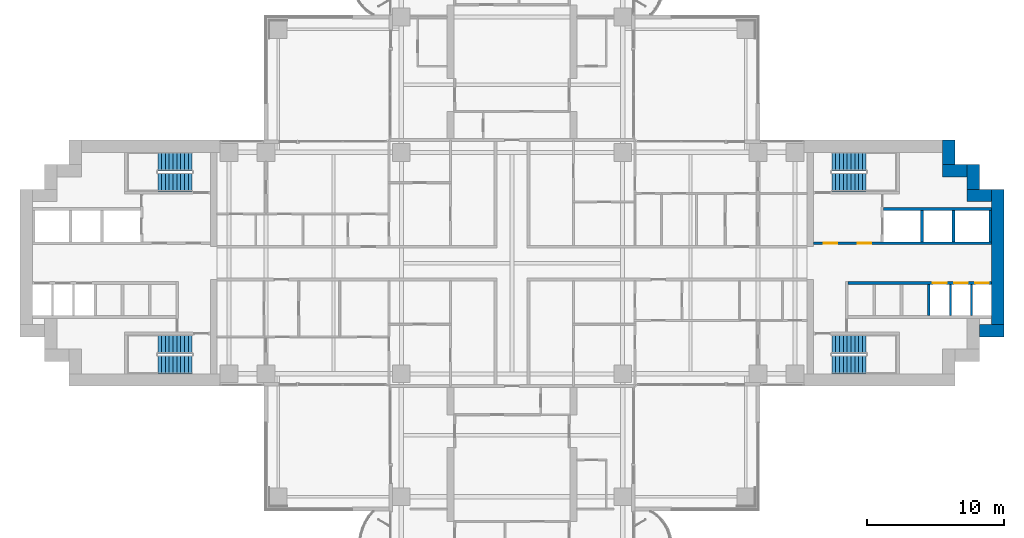
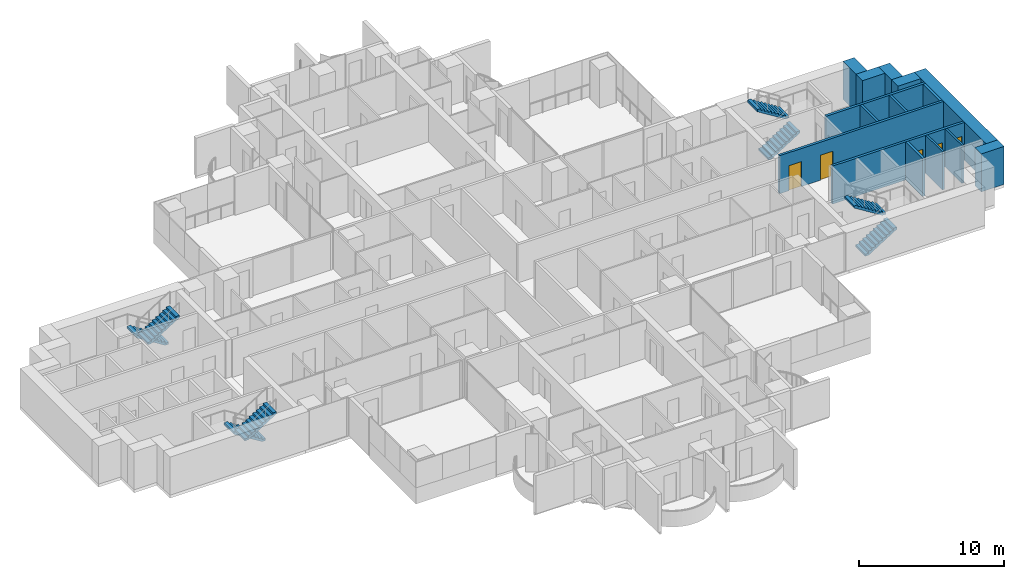
# One storey, part 16 of 21: 15 walls, 8 stair flights, 5 doors, 5 openings, 4 elements without a shape of their own.
"""IFC4 building model written with IfcOpenShell, lengths in metres."""

from ifc_helpers import new_model, si_unit, direction, frame, frame_2d, origin, place, context, subcontext, project, spatial, polyline, rectangle, outline, extrude, material, layer, layer_set, type_object, element, fill, aggregate, save


model = new_model("IFC4")

# Units and contexts
model_context = context("Model", 3, precision=1e-05, world=origin(), true_north=direction((0.0, 1.0)))
body_context = subcontext(model_context, "Body", "Model", "MODEL_VIEW")
ifc_project = project(units=[si_unit("LENGTHUNIT", "METRE"), si_unit("AREAUNIT", "SQUARE_METRE"), si_unit("VOLUMEUNIT", "CUBIC_METRE"), si_unit("PLANEANGLEUNIT", "RADIAN"), si_unit("MASSUNIT", "GRAM", prefix="KILO")], contexts=[model_context])

# Site, building, storey
site_placement = place(None, origin())
site = spatial("IfcSite", under=ifc_project, at=site_placement, CompositionType="ELEMENT")
building_placement = place(site_placement, origin())
building = spatial("IfcBuilding", under=site, at=building_placement, Name="Perihelion Cross Residences", CompositionType="ELEMENT")
storey_placement = place(building_placement, frame((0.0, 0.0, 89.0)))
storey = spatial("IfcBuildingStorey", under=building, at=storey_placement, Name="L20", CompositionType="ELEMENT", Elevation=89.0)

# Walls
ifc_material_1 = material(Name="Concrete C60/75", Category="concrete")
ifc_layer_1 = layer(ifc_material_1, 0.89990234375)
ifc_layer_set_1 = layer_set([ifc_layer_1], Name="Core wall, outer 900")
wall_type_1 = type_object("IfcWallType", Name="Core wall, outer 900", PredefinedType="SHEAR", material=ifc_layer_set_1)
wall_1_placement = place(storey_placement, frame((34.199951171875, -4.949951171875, 0.0), z_axis=(0.0, 0.0, 1.0), x_axis=(1.0, 0.0, 0.0)))
element("IfcWall", 1, at=wall_1_placement, inside=storey, type_object=wall_type_1, Name="East core core wall, outer", PredefinedType="SHEAR", context=body_context, shape_type="SweptSolid", body=[
    extrude(rectangle(XDim=1.800048828125, YDim=0.89990234375, at=frame_2d((0.89990234375, 0.0))), origin(), (0.0, 0.0, 1.0), 3.199951171875),
])
wall_2_placement = place(storey_placement, frame((35.550048828125, -4.5, 0.0), z_axis=(0.0, 0.0, 1.0), x_axis=(0.0, 1.0, 0.0)))
element("IfcWall", 2, at=wall_2_placement, inside=storey, type_object=wall_type_1, Name="East core core wall, outer", PredefinedType="SHEAR", context=body_context, shape_type="SweptSolid", body=[
    extrude(rectangle(XDim=9.89990234375, YDim=0.89990234375, at=frame_2d((4.949951171875, 0.0))), origin(), (0.0, 0.0, 1.0), 3.199951171875),
])
for number, where, z_axis, x_axis, name in (
    (3, (33.300048828125, 4.949951171875, 0.0), (0.0, 0.0, 1.0), (1.0, 0.0, 0.0), "East core core wall, outer"),
    (4, (33.75, 5.39990234375, 0.0), (0.0, 0.0, 1.0), (0.0, 1.0, 0.0), "East core core wall, outer"),
    (5, (31.5, 6.75, 0.0), (0.0, 0.0, 1.0), (1.0, 0.0, 0.0), "East core core wall, outer"),
    (6, (31.949951171875, 7.199951171875, 0.0), (0.0, 0.0, 1.0), (0.0, 1.0, 0.0), "East core core wall, outer"),
):
    element("IfcWall", number, at=place(storey_placement, frame(where, z_axis=z_axis, x_axis=x_axis)), inside=storey, type_object=wall_type_1, Name=name, PredefinedType="SHEAR", context=body_context, shape_type="SweptSolid", body=[
        extrude(rectangle(XDim=1.800048828125, YDim=0.89990234375, at=frame_2d((0.89990234375, 0.0))), origin(), (0.0, 0.0, 1.0), 3.199951171875),
    ])
ifc_material_2 = material(Name="Concrete C50/60", Category="concrete")
ifc_layer_2 = layer(ifc_material_2, 0.14990234375)
ifc_layer_set_2 = layer_set([ifc_layer_2], Name="Shaft wall 150")
wall_type_2 = type_object("IfcWallType", Name="Shaft wall 150", PredefinedType="SOLIDWALL", material=ifc_layer_set_2)
for number, where, z_axis, x_axis, name in (
    (7, (32.074951171875, -3.85009765625, 0.0), (0.0, 0.0, 1.0), (0.0, 1.0, 0.0), "East core shaft wall"),
    (8, (33.625, -3.85009765625, 0.0), (0.0, 0.0, 1.0), (0.0, 1.0, 0.0), "East core shaft wall"),
):
    element("IfcWall", number, at=place(storey_placement, frame(where, z_axis=z_axis, x_axis=x_axis)), inside=storey, type_object=wall_type_2, Name=name, PredefinedType="SOLIDWALL", context=body_context, shape_type="SweptSolid", body=[
        extrude(rectangle(XDim=2.300048828125, YDim=0.14990234375, at=frame_2d((1.14990234375, 0.0))), origin(), (0.0, 0.0, 1.0), 3.199951171875),
    ])

# Wall, openings, doors
ifc_material_3 = material(Name="Concrete C50/60", Category="concrete")
ifc_layer_3 = layer(ifc_material_3, 0.199951171875)
ifc_layer_set_3 = layer_set([ifc_layer_3], Name="Shaft wall 200")
wall_type_3 = type_object("IfcWallType", Name="Shaft wall 200", PredefinedType="SOLIDWALL", material=ifc_layer_set_3)
wall_3_placement = place(storey_placement, frame((22.050048828125, 1.449951171875, 0.0), z_axis=(0.0, 0.0, 1.0), x_axis=(1.0, 0.0, 0.0)))
wall_3 = element("IfcWall", 9, at=wall_3_placement, inside=storey, type_object=wall_type_3, Name="East core shaft wall", PredefinedType="SOLIDWALL", context=body_context, shape_type="SweptSolid", body=[
    extrude(rectangle(XDim=13.050048828125, YDim=0.199951171875, at=frame_2d((6.52490234375, 0.0))), origin(), (0.0, 0.0, 1.0), 3.199951171875),
])
opening_1_placement = place(wall_3_placement, frame((0.75, 0.0, 0.0)))
opening_1 = element("IfcOpeningElement", 10, at=opening_1_placement, cuts=wall_3, Name="Opening L20.C07", PredefinedType="OPENING", context=body_context, shape_type="SweptSolid", body=[
    extrude(rectangle(XDim=1.0, YDim=2.10009765625, at=frame_2d((0.5, 1.050048828125))), frame((0.0, 0.10986328125, 0.0), z_axis=(0.0, -1.0, 0.0), x_axis=(1.0, 0.0, 0.0)), (0.0, 0.0, 1.0), 0.219970703125),
])
opening_2_placement = place(wall_3_placement, frame((3.25, 0.0, 0.0)))
opening_2 = element("IfcOpeningElement", 11, at=opening_2_placement, cuts=wall_3, Name="Opening L20.C09", PredefinedType="OPENING", context=body_context, shape_type="SweptSolid", body=[
    extrude(rectangle(XDim=1.0, YDim=2.10009765625, at=frame_2d((0.5, 1.050048828125))), frame((0.0, 0.10986328125, 0.0), z_axis=(0.0, -1.0, 0.0), x_axis=(1.0, 0.0, 0.0)), (0.0, 0.0, 1.0), 0.219970703125),
])
ifc_material_4 = material(Name="Steel, powder coated", Category="steel")
door_type_1 = type_object("IfcDoorType", Name="Lobby door 1000", OperationType="SINGLE_SWING_LEFT", PredefinedType="DOOR", material=ifc_material_4)
door_1_placement = place(opening_1_placement, origin())
door_1 = element("IfcDoor", 12, at=door_1_placement, inside=storey, type_object=door_type_1, Name="East core firefighting lobby door", OperationType="SINGLE_SWING_LEFT", OverallHeight=2.10009765625, OverallWidth=1.0, PredefinedType="DOOR", context=body_context, shape_type="SweptSolid", body=[
    extrude(rectangle(XDim=1.0, YDim=2.10009765625, at=frame_2d((0.5, 1.050048828125))), frame((0.0, 0.02490234375, 0.0), z_axis=(0.0, -1.0, 0.0), x_axis=(1.0, 0.0, 0.0)), (0.0, 0.0, 1.0), 0.050048828125),
])
fill(opening_1, door_1)
door_2_placement = place(opening_2_placement, origin())
door_2 = element("IfcDoor", 13, at=door_2_placement, inside=storey, type_object=door_type_1, Name="East core firefighting lobby door", OperationType="SINGLE_SWING_LEFT", OverallHeight=2.10009765625, OverallWidth=1.0, PredefinedType="DOOR", context=body_context, shape_type="SweptSolid", body=[
    extrude(rectangle(XDim=1.0, YDim=2.10009765625, at=frame_2d((0.5, 1.050048828125))), frame((0.0, 0.02490234375, 0.0), z_axis=(0.0, -1.0, 0.0), x_axis=(1.0, 0.0, 0.0)), (0.0, 0.0, 1.0), 0.050048828125),
])
fill(opening_2, door_2)

wall_4_placement = place(storey_placement, frame((24.60009765625, -1.449951171875, 0.0), z_axis=(0.0, 0.0, 1.0), x_axis=(1.0, 0.0, 0.0)))
wall_4 = element("IfcWall", 14, at=wall_4_placement, inside=storey, type_object=wall_type_3, Name="East core shaft wall", PredefinedType="SOLIDWALL", context=body_context, shape_type="SweptSolid", body=[
    extrude(rectangle(XDim=10.5, YDim=0.199951171875, at=frame_2d((5.25, 0.0))), origin(), (0.0, 0.0, 1.0), 3.199951171875),
])
opening_3_placement = place(wall_4_placement, frame((6.199951171875, 0.0, 0.0)))
opening_3 = element("IfcOpeningElement", 15, at=opening_3_placement, cuts=wall_4, Name="Opening L20.C02", PredefinedType="OPENING", context=body_context, shape_type="SweptSolid", body=[
    extrude(rectangle(XDim=1.0, YDim=2.10009765625, at=frame_2d((0.5, 1.050048828125))), frame((0.0, 0.10986328125, 0.0), z_axis=(0.0, -1.0, 0.0), x_axis=(1.0, 0.0, 0.0)), (0.0, 0.0, 1.0), 0.219970703125),
])
opening_4_placement = place(wall_4_placement, frame((7.75, 0.0, 0.0)))
opening_4 = element("IfcOpeningElement", 16, at=opening_4_placement, cuts=wall_4, Name="Opening L20.C03", PredefinedType="OPENING", context=body_context, shape_type="SweptSolid", body=[
    extrude(rectangle(XDim=1.0, YDim=2.10009765625, at=frame_2d((0.5, 1.050048828125))), frame((0.0, 0.10986328125, 0.0), z_axis=(0.0, -1.0, 0.0), x_axis=(1.0, 0.0, 0.0)), (0.0, 0.0, 1.0), 0.219970703125),
])
opening_5_placement = place(wall_4_placement, frame((9.300048828125, 0.0, 0.0)))
opening_5 = element("IfcOpeningElement", 17, at=opening_5_placement, cuts=wall_4, Name="Opening L20.C04", PredefinedType="OPENING", context=body_context, shape_type="SweptSolid", body=[
    extrude(rectangle(XDim=1.0, YDim=2.10009765625, at=frame_2d((0.5, 1.050048828125))), frame((0.0, 0.10986328125, 0.0), z_axis=(0.0, -1.0, 0.0), x_axis=(1.0, 0.0, 0.0)), (0.0, 0.0, 1.0), 0.219970703125),
])
ifc_material_5 = material(Name="Stainless steel", Category="steel")
door_type_2 = type_object("IfcDoorType", Name="Landing door 1000", OperationType="DOUBLE_DOOR_SLIDING", PredefinedType="DOOR", material=ifc_material_5)
door_3_placement = place(opening_3_placement, origin())
door_3 = element("IfcDoor", 18, at=door_3_placement, inside=storey, type_object=door_type_2, Name="Landing door, East core low-rise lift 1", OperationType="DOUBLE_DOOR_SLIDING", OverallHeight=2.10009765625, OverallWidth=1.0, PredefinedType="DOOR", context=body_context, shape_type="SweptSolid", body=[
    extrude(rectangle(XDim=1.0, YDim=2.10009765625, at=frame_2d((0.5, 1.050048828125))), frame((0.0, 0.02490234375, 0.0), z_axis=(0.0, -1.0, 0.0), x_axis=(1.0, 0.0, 0.0)), (0.0, 0.0, 1.0), 0.050048828125),
])
fill(opening_3, door_3)
door_4_placement = place(opening_4_placement, origin())
door_4 = element("IfcDoor", 19, at=door_4_placement, inside=storey, type_object=door_type_2, Name="Landing door, East core low-rise lift 2", OperationType="DOUBLE_DOOR_SLIDING", OverallHeight=2.10009765625, OverallWidth=1.0, PredefinedType="DOOR", context=body_context, shape_type="SweptSolid", body=[
    extrude(rectangle(XDim=1.0, YDim=2.10009765625, at=frame_2d((0.5, 1.050048828125))), frame((0.0, 0.02490234375, 0.0), z_axis=(0.0, -1.0, 0.0), x_axis=(1.0, 0.0, 0.0)), (0.0, 0.0, 1.0), 0.050048828125),
])
fill(opening_4, door_4)
door_5_placement = place(opening_5_placement, origin())
door_5 = element("IfcDoor", 20, at=door_5_placement, inside=storey, type_object=door_type_2, Name="Landing door, East core low-rise lift 3", OperationType="DOUBLE_DOOR_SLIDING", OverallHeight=2.10009765625, OverallWidth=1.0, PredefinedType="DOOR", context=body_context, shape_type="SweptSolid", body=[
    extrude(rectangle(XDim=1.0, YDim=2.10009765625, at=frame_2d((0.5, 1.050048828125))), frame((0.0, 0.02490234375, 0.0), z_axis=(0.0, -1.0, 0.0), x_axis=(1.0, 0.0, 0.0)), (0.0, 0.0, 1.0), 0.050048828125),
])
fill(opening_5, door_5)

# Walls
wall_5_placement = place(storey_placement, frame((27.199951171875, 3.949951171875, 0.0), z_axis=(0.0, 0.0, 1.0), x_axis=(1.0, 0.0, 0.0)))
element("IfcWall", 21, at=wall_5_placement, inside=storey, type_object=wall_type_3, Name="East core shaft wall", PredefinedType="SOLIDWALL", context=body_context, shape_type="SweptSolid", body=[
    extrude(rectangle(XDim=7.900146484375, YDim=0.199951171875, at=frame_2d((3.9501953125, 0.0))), origin(), (0.0, 0.0, 1.0), 3.199951171875),
])
for number, where, z_axis, x_axis, name in (
    (22, (30.0, 1.550048828125, 0.0), (0.0, 0.0, 1.0), (0.0, 1.0, 0.0), "East core shaft wall"),
    (23, (32.300048828125, 1.550048828125, 0.0), (0.0, 0.0, 1.0), (0.0, 1.0, 0.0), "East core shaft wall"),
    (24, (35.0, 1.550048828125, 0.0), (0.0, 0.0, 1.0), (0.0, 1.0, 0.0), "East core shaft wall"),
    (25, (30.5, -3.85009765625, 0.0), (0.0, 0.0, 1.0), (0.0, 1.0, 0.0), "East core shaft wall"),
):
    element("IfcWall", number, at=place(storey_placement, frame(where, z_axis=z_axis, x_axis=x_axis)), inside=storey, type_object=wall_type_3, Name=name, PredefinedType="SOLIDWALL", context=body_context, shape_type="SweptSolid", body=[
        extrude(rectangle(XDim=2.300048828125, YDim=0.199951171875, at=frame_2d((1.14990234375, 0.0))), origin(), (0.0, 0.0, 1.0), 3.199951171875),
    ])

# Stair, stair flights
ifc_material_6 = material(Name="Concrete C40/50", Category="concrete")
stair_type = type_object("IfcStairType", Name="Exit stair, half-turn", PredefinedType="HALF_TURN_STAIR", material=ifc_material_6)
stair_1_placement = place(storey_placement, origin())
stair_1 = element("IfcStair", 26, at=stair_1_placement, inside=storey, type_object=stair_type, Name="L20 East core exit stair 1", PredefinedType="HALF_TURN_STAIR")
ifc_material_7 = material(Name="Concrete C40/50", Category="concrete")
stair_flight_type = type_object("IfcStairFlightType", Name="Exit stair flight", PredefinedType="STRAIGHT", material=ifc_material_7)
stair_flight_1_placement = place(storey_placement, frame((23.39990234375, 5.925048828125, 0.0), z_axis=(0.0, 0.0, 1.0), x_axis=(1.0, 0.0, 0.0)))
stair_flight_1 = element("IfcStairFlight", 27, at=stair_flight_1_placement, type_object=stair_flight_type, Name="ST-E1 flight 1", NumberOfRisers=10, NumberOfTreads=9, PredefinedType="STRAIGHT", RiserHeight=0.175, TreadLength=0.28, context=body_context, shape_type="SweptSolid", body=[
    extrude(outline(polyline([(0.0, 0.0), (0.0, 0.175048828125), (0.280029296875, 0.175048828125), (0.280029296875, 0.35009765625), (0.56005859375, 0.35009765625), (0.56005859375, 0.52490234375), (0.840087890625, 0.52490234375), (0.840087890625, 0.699951171875), (1.1201171875, 0.699951171875), (1.1201171875, 0.875), (1.39990234375, 0.875), (1.39990234375, 1.050048828125), (1.679931640625, 1.050048828125), (1.679931640625, 1.22509765625), (1.9599609375, 1.22509765625), (1.9599609375, 1.39990234375), (2.239990234375, 1.39990234375), (2.239990234375, 1.574951171875), (2.52001953125, 1.574951171875), (2.52001953125, 1.75), (2.52001953125, 1.398193359375), (0.28271484375, 0.0), (0.0, 0.0)])), frame((0.0, 0.675048828125, 0.0), z_axis=(0.0, -1.0, 0.0), x_axis=(1.0, 0.0, 0.0)), (0.0, 0.0, 1.0), 1.35009765625),
])
stair_flight_2_placement = place(storey_placement, frame((25.919921875, 7.425048828125, 1.75), z_axis=(0.0, 0.0, 1.0), x_axis=(-1.0, 0.0, 0.0)))
stair_flight_2 = element("IfcStairFlight", 28, at=stair_flight_2_placement, type_object=stair_flight_type, Name="ST-E1 flight 2", NumberOfRisers=10, NumberOfTreads=9, PredefinedType="STRAIGHT", RiserHeight=0.175, TreadLength=0.28, context=body_context, shape_type="SweptSolid", body=[
    extrude(outline(polyline([(0.0, 0.0), (0.0, 0.175048828125), (0.280029296875, 0.175048828125), (0.280029296875, 0.35009765625), (0.56005859375, 0.35009765625), (0.56005859375, 0.52490234375), (0.840087890625, 0.52490234375), (0.840087890625, 0.699951171875), (1.1201171875, 0.699951171875), (1.1201171875, 0.875), (1.39990234375, 0.875), (1.39990234375, 1.050048828125), (1.679931640625, 1.050048828125), (1.679931640625, 1.22509765625), (1.9599609375, 1.22509765625), (1.9599609375, 1.39990234375), (2.239990234375, 1.39990234375), (2.239990234375, 1.574951171875), (2.52001953125, 1.574951171875), (2.52001953125, 1.75), (2.52001953125, 1.398193359375), (0.28271484375, 0.0), (0.0, 0.0)])), frame((0.0, 0.675048828125, 0.0), z_axis=(0.0, -1.0, 0.0), x_axis=(1.0, 0.0, 0.0)), (0.0, 0.0, 1.0), 1.35009765625),
])
aggregate(stair_1, [stair_flight_1, stair_flight_2])

stair_2_placement = place(storey_placement, origin())
stair_2 = element("IfcStair", 29, at=stair_2_placement, inside=storey, type_object=stair_type, Name="L20 East core exit stair 2", PredefinedType="HALF_TURN_STAIR")
stair_flight_3_placement = place(storey_placement, frame((23.39990234375, -7.425048828125, 0.0), z_axis=(0.0, 0.0, 1.0), x_axis=(1.0, 0.0, 0.0)))
stair_flight_3 = element("IfcStairFlight", 30, at=stair_flight_3_placement, type_object=stair_flight_type, Name="ST-E2 flight 1", NumberOfRisers=10, NumberOfTreads=9, PredefinedType="STRAIGHT", RiserHeight=0.175, TreadLength=0.28, context=body_context, shape_type="SweptSolid", body=[
    extrude(outline(polyline([(0.0, 0.0), (0.0, 0.175048828125), (0.280029296875, 0.175048828125), (0.280029296875, 0.35009765625), (0.56005859375, 0.35009765625), (0.56005859375, 0.52490234375), (0.840087890625, 0.52490234375), (0.840087890625, 0.699951171875), (1.1201171875, 0.699951171875), (1.1201171875, 0.875), (1.39990234375, 0.875), (1.39990234375, 1.050048828125), (1.679931640625, 1.050048828125), (1.679931640625, 1.22509765625), (1.9599609375, 1.22509765625), (1.9599609375, 1.39990234375), (2.239990234375, 1.39990234375), (2.239990234375, 1.574951171875), (2.52001953125, 1.574951171875), (2.52001953125, 1.75), (2.52001953125, 1.398193359375), (0.28271484375, 0.0), (0.0, 0.0)])), frame((0.0, 0.675048828125, 0.0), z_axis=(0.0, -1.0, 0.0), x_axis=(1.0, 0.0, 0.0)), (0.0, 0.0, 1.0), 1.35009765625),
])
stair_flight_4_placement = place(storey_placement, frame((25.919921875, -5.925048828125, 1.75), z_axis=(0.0, 0.0, 1.0), x_axis=(-1.0, 0.0, 0.0)))
stair_flight_4 = element("IfcStairFlight", 31, at=stair_flight_4_placement, type_object=stair_flight_type, Name="ST-E2 flight 2", NumberOfRisers=10, NumberOfTreads=9, PredefinedType="STRAIGHT", RiserHeight=0.175, TreadLength=0.28, context=body_context, shape_type="SweptSolid", body=[
    extrude(outline(polyline([(0.0, 0.0), (0.0, 0.175048828125), (0.280029296875, 0.175048828125), (0.280029296875, 0.35009765625), (0.56005859375, 0.35009765625), (0.56005859375, 0.52490234375), (0.840087890625, 0.52490234375), (0.840087890625, 0.699951171875), (1.1201171875, 0.699951171875), (1.1201171875, 0.875), (1.39990234375, 0.875), (1.39990234375, 1.050048828125), (1.679931640625, 1.050048828125), (1.679931640625, 1.22509765625), (1.9599609375, 1.22509765625), (1.9599609375, 1.39990234375), (2.239990234375, 1.39990234375), (2.239990234375, 1.574951171875), (2.52001953125, 1.574951171875), (2.52001953125, 1.75), (2.52001953125, 1.398193359375), (0.28271484375, 0.0), (0.0, 0.0)])), frame((0.0, 0.675048828125, 0.0), z_axis=(0.0, -1.0, 0.0), x_axis=(1.0, 0.0, 0.0)), (0.0, 0.0, 1.0), 1.35009765625),
])
aggregate(stair_2, [stair_flight_3, stair_flight_4])

stair_3_placement = place(storey_placement, origin())
stair_3 = element("IfcStair", 32, at=stair_3_placement, inside=storey, type_object=stair_type, Name="L20 West core exit stair 1", PredefinedType="HALF_TURN_STAIR")
stair_flight_5_placement = place(storey_placement, frame((-23.39990234375, 7.425048828125, 0.0), z_axis=(0.0, 0.0, 1.0), x_axis=(-1.0, 0.0, 0.0)))
stair_flight_5 = element("IfcStairFlight", 33, at=stair_flight_5_placement, type_object=stair_flight_type, Name="ST-W1 flight 1", NumberOfRisers=10, NumberOfTreads=9, PredefinedType="STRAIGHT", RiserHeight=0.175, TreadLength=0.28, context=body_context, shape_type="SweptSolid", body=[
    extrude(outline(polyline([(0.0, 0.0), (0.0, 0.175048828125), (0.280029296875, 0.175048828125), (0.280029296875, 0.35009765625), (0.56005859375, 0.35009765625), (0.56005859375, 0.52490234375), (0.840087890625, 0.52490234375), (0.840087890625, 0.699951171875), (1.1201171875, 0.699951171875), (1.1201171875, 0.875), (1.39990234375, 0.875), (1.39990234375, 1.050048828125), (1.679931640625, 1.050048828125), (1.679931640625, 1.22509765625), (1.9599609375, 1.22509765625), (1.9599609375, 1.39990234375), (2.239990234375, 1.39990234375), (2.239990234375, 1.574951171875), (2.52001953125, 1.574951171875), (2.52001953125, 1.75), (2.52001953125, 1.398193359375), (0.28271484375, 0.0), (0.0, 0.0)])), frame((0.0, 0.675048828125, 0.0), z_axis=(0.0, -1.0, 0.0), x_axis=(1.0, 0.0, 0.0)), (0.0, 0.0, 1.0), 1.35009765625),
])
stair_flight_6_placement = place(storey_placement, frame((-25.919921875, 5.925048828125, 1.75), z_axis=(0.0, 0.0, 1.0), x_axis=(1.0, 0.0, 0.0)))
stair_flight_6 = element("IfcStairFlight", 34, at=stair_flight_6_placement, type_object=stair_flight_type, Name="ST-W1 flight 2", NumberOfRisers=10, NumberOfTreads=9, PredefinedType="STRAIGHT", RiserHeight=0.175, TreadLength=0.28, context=body_context, shape_type="SweptSolid", body=[
    extrude(outline(polyline([(0.0, 0.0), (0.0, 0.175048828125), (0.280029296875, 0.175048828125), (0.280029296875, 0.35009765625), (0.56005859375, 0.35009765625), (0.56005859375, 0.52490234375), (0.840087890625, 0.52490234375), (0.840087890625, 0.699951171875), (1.1201171875, 0.699951171875), (1.1201171875, 0.875), (1.39990234375, 0.875), (1.39990234375, 1.050048828125), (1.679931640625, 1.050048828125), (1.679931640625, 1.22509765625), (1.9599609375, 1.22509765625), (1.9599609375, 1.39990234375), (2.239990234375, 1.39990234375), (2.239990234375, 1.574951171875), (2.52001953125, 1.574951171875), (2.52001953125, 1.75), (2.52001953125, 1.398193359375), (0.28271484375, 0.0), (0.0, 0.0)])), frame((0.0, 0.675048828125, 0.0), z_axis=(0.0, -1.0, 0.0), x_axis=(1.0, 0.0, 0.0)), (0.0, 0.0, 1.0), 1.35009765625),
])
aggregate(stair_3, [stair_flight_5, stair_flight_6])

stair_4_placement = place(storey_placement, origin())
stair_4 = element("IfcStair", 35, at=stair_4_placement, inside=storey, type_object=stair_type, Name="L20 West core exit stair 2", PredefinedType="HALF_TURN_STAIR")
stair_flight_7_placement = place(storey_placement, frame((-23.39990234375, -5.925048828125, 0.0), z_axis=(0.0, 0.0, 1.0), x_axis=(-1.0, 0.0, 0.0)))
stair_flight_7 = element("IfcStairFlight", 36, at=stair_flight_7_placement, type_object=stair_flight_type, Name="ST-W2 flight 1", NumberOfRisers=10, NumberOfTreads=9, PredefinedType="STRAIGHT", RiserHeight=0.175, TreadLength=0.28, context=body_context, shape_type="SweptSolid", body=[
    extrude(outline(polyline([(0.0, 0.0), (0.0, 0.175048828125), (0.280029296875, 0.175048828125), (0.280029296875, 0.35009765625), (0.56005859375, 0.35009765625), (0.56005859375, 0.52490234375), (0.840087890625, 0.52490234375), (0.840087890625, 0.699951171875), (1.1201171875, 0.699951171875), (1.1201171875, 0.875), (1.39990234375, 0.875), (1.39990234375, 1.050048828125), (1.679931640625, 1.050048828125), (1.679931640625, 1.22509765625), (1.9599609375, 1.22509765625), (1.9599609375, 1.39990234375), (2.239990234375, 1.39990234375), (2.239990234375, 1.574951171875), (2.52001953125, 1.574951171875), (2.52001953125, 1.75), (2.52001953125, 1.398193359375), (0.28271484375, 0.0), (0.0, 0.0)])), frame((0.0, 0.675048828125, 0.0), z_axis=(0.0, -1.0, 0.0), x_axis=(1.0, 0.0, 0.0)), (0.0, 0.0, 1.0), 1.35009765625),
])
stair_flight_8_placement = place(storey_placement, frame((-25.919921875, -7.425048828125, 1.75), z_axis=(0.0, 0.0, 1.0), x_axis=(1.0, 0.0, 0.0)))
stair_flight_8 = element("IfcStairFlight", 37, at=stair_flight_8_placement, type_object=stair_flight_type, Name="ST-W2 flight 2", NumberOfRisers=10, NumberOfTreads=9, PredefinedType="STRAIGHT", RiserHeight=0.175, TreadLength=0.28, context=body_context, shape_type="SweptSolid", body=[
    extrude(outline(polyline([(0.0, 0.0), (0.0, 0.175048828125), (0.280029296875, 0.175048828125), (0.280029296875, 0.35009765625), (0.56005859375, 0.35009765625), (0.56005859375, 0.52490234375), (0.840087890625, 0.52490234375), (0.840087890625, 0.699951171875), (1.1201171875, 0.699951171875), (1.1201171875, 0.875), (1.39990234375, 0.875), (1.39990234375, 1.050048828125), (1.679931640625, 1.050048828125), (1.679931640625, 1.22509765625), (1.9599609375, 1.22509765625), (1.9599609375, 1.39990234375), (2.239990234375, 1.39990234375), (2.239990234375, 1.574951171875), (2.52001953125, 1.574951171875), (2.52001953125, 1.75), (2.52001953125, 1.398193359375), (0.28271484375, 0.0), (0.0, 0.0)])), frame((0.0, 0.675048828125, 0.0), z_axis=(0.0, -1.0, 0.0), x_axis=(1.0, 0.0, 0.0)), (0.0, 0.0, 1.0), 1.35009765625),
])
aggregate(stair_4, [stair_flight_7, stair_flight_8])

save(model, "model.ifc")
